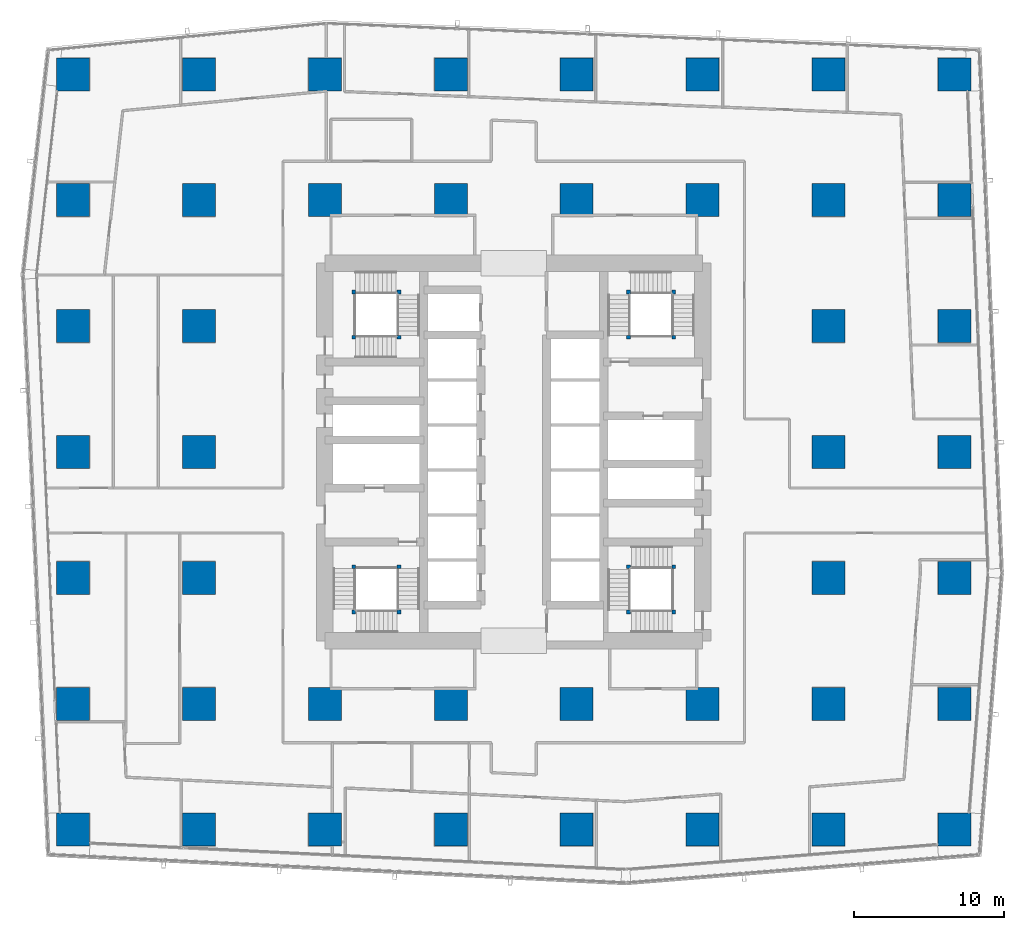
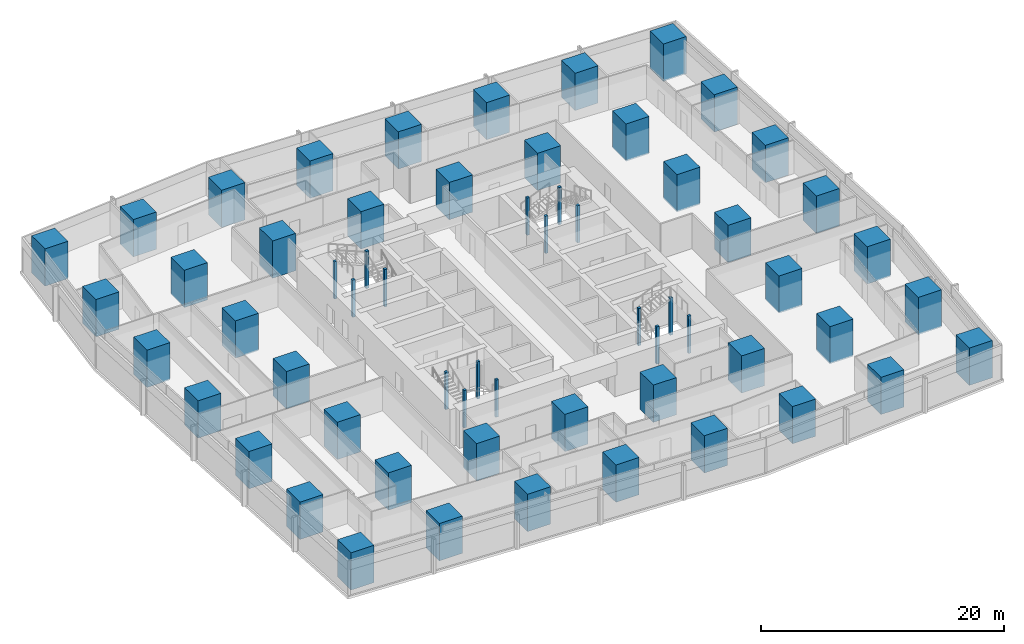
# One storey, part 1 of 45: 60 columns.
"""IFC4 building model written with IfcOpenShell, lengths in metres."""

from ifc_helpers import new_model, si_unit, direction, frame, origin, origin_2d, place, context, subcontext, project, spatial, rectangle, extrude, material, material_profile, profile_set, type_object, element, save


model = new_model("IFC4")

# Units and contexts
model_context = context("Model", 3, precision=1e-05, world=origin(), true_north=direction((0.0, 1.0)))
body_context = subcontext(model_context, "Body", "Model", "MODEL_VIEW")
ifc_project = project(units=[si_unit("LENGTHUNIT", "METRE"), si_unit("AREAUNIT", "SQUARE_METRE"), si_unit("VOLUMEUNIT", "CUBIC_METRE"), si_unit("PLANEANGLEUNIT", "RADIAN"), si_unit("MASSUNIT", "GRAM", prefix="KILO")], contexts=[model_context])

# Site, building, storey
site_placement = place(None, origin())
site = spatial("IfcSite", under=ifc_project, at=site_placement, CompositionType="ELEMENT")
building_placement = place(site_placement, origin())
building = spatial("IfcBuilding", under=site, at=building_placement, Name="Rekha Terrace Tower", CompositionType="ELEMENT")
storey_placement = place(building_placement, frame((0.0, 0.0, 32.89990234375)))
storey = spatial("IfcBuildingStorey", under=building, at=storey_placement, Name="L07", CompositionType="ELEMENT", Elevation=32.89990234375)

# Columns
ifc_material_1 = material(Name="Concrete M70", Category="concrete")
ifc_material_profile_1 = material_profile(ifc_material_1, rectangle(XDim=2.199951171875, YDim=2.199951171875, at=origin_2d()), Name="RC 2200x2200")
ifc_profile_set_1 = profile_set([ifc_material_profile_1], Name="Concrete M70")
column_type_1 = type_object("IfcColumnType", Name="C2 2200x2200 column", PredefinedType="COLUMN", material=ifc_profile_set_1)
for number, where, z_axis, x_axis, name in (
    (1, (8.39990234375, 8.39990234375, 0.0), (0.0, 0.0, 1.0), (1.0, 0.0, 0.0), "Column C2 2/B L07"),
    (2, (8.39990234375, 16.800048828125, 0.0), (0.0, 0.0, 1.0), (1.0, 0.0, 0.0), "Column C2 2/C L07"),
    (3, (8.39990234375, 25.199951171875, 0.0), (0.0, 0.0, 1.0), (1.0, 0.0, 0.0), "Column C2 2/D L07"),
    (4, (8.39990234375, 33.60009765625, 0.0), (0.0, 0.0, 1.0), (1.0, 0.0, 0.0), "Column C2 2/E L07"),
    (5, (8.39990234375, 42.0, 0.0), (0.0, 0.0, 1.0), (1.0, 0.0, 0.0), "Column C2 2/F L07"),
    (6, (8.39990234375, 50.39990234375, 0.0), (0.0, 0.0, 1.0), (1.0, 0.0, 0.0), "Column C2 2/G L07"),
    (7, (8.39990234375, 58.800048828125, 0.0), (0.0, 0.0, 1.0), (1.0, 0.0, 0.0), "Column C2 2/H L07"),
    (8, (16.800048828125, 8.39990234375, 0.0), (0.0, 0.0, 1.0), (1.0, 0.0, 0.0), "Column C2 3/B L07"),
    (9, (16.800048828125, 16.800048828125, 0.0), (0.0, 0.0, 1.0), (1.0, 0.0, 0.0), "Column C2 3/C L07"),
    (10, (16.800048828125, 25.199951171875, 0.0), (0.0, 0.0, 1.0), (1.0, 0.0, 0.0), "Column C2 3/D L07"),
    (11, (16.800048828125, 33.60009765625, 0.0), (0.0, 0.0, 1.0), (1.0, 0.0, 0.0), "Column C2 3/E L07"),
    (12, (16.800048828125, 42.0, 0.0), (0.0, 0.0, 1.0), (1.0, 0.0, 0.0), "Column C2 3/F L07"),
    (13, (16.800048828125, 50.39990234375, 0.0), (0.0, 0.0, 1.0), (1.0, 0.0, 0.0), "Column C2 3/G L07"),
    (14, (16.800048828125, 58.800048828125, 0.0), (0.0, 0.0, 1.0), (1.0, 0.0, 0.0), "Column C2 3/H L07"),
    (15, (25.199951171875, 8.39990234375, 0.0), (0.0, 0.0, 1.0), (1.0, 0.0, 0.0), "Column C2 4/B L07"),
    (16, (25.199951171875, 16.800048828125, 0.0), (0.0, 0.0, 1.0), (1.0, 0.0, 0.0), "Column C2 4/C L07"),
    (17, (25.199951171875, 50.39990234375, 0.0), (0.0, 0.0, 1.0), (1.0, 0.0, 0.0), "Column C2 4/G L07"),
    (18, (25.199951171875, 58.800048828125, 0.0), (0.0, 0.0, 1.0), (1.0, 0.0, 0.0), "Column C2 4/H L07"),
    (19, (33.60009765625, 8.39990234375, 0.0), (0.0, 0.0, 1.0), (1.0, 0.0, 0.0), "Column C2 5/B L07"),
    (20, (33.60009765625, 16.800048828125, 0.0), (0.0, 0.0, 1.0), (1.0, 0.0, 0.0), "Column C2 5/C L07"),
    (21, (33.60009765625, 50.39990234375, 0.0), (0.0, 0.0, 1.0), (1.0, 0.0, 0.0), "Column C2 5/G L07"),
    (22, (33.60009765625, 58.800048828125, 0.0), (0.0, 0.0, 1.0), (1.0, 0.0, 0.0), "Column C2 5/H L07"),
    (23, (42.0, 8.39990234375, 0.0), (0.0, 0.0, 1.0), (1.0, 0.0, 0.0), "Column C2 6/B L07"),
    (24, (42.0, 16.800048828125, 0.0), (0.0, 0.0, 1.0), (1.0, 0.0, 0.0), "Column C2 6/C L07"),
    (25, (42.0, 50.39990234375, 0.0), (0.0, 0.0, 1.0), (1.0, 0.0, 0.0), "Column C2 6/G L07"),
    (26, (42.0, 58.800048828125, 0.0), (0.0, 0.0, 1.0), (1.0, 0.0, 0.0), "Column C2 6/H L07"),
    (27, (50.39990234375, 8.39990234375, 0.0), (0.0, 0.0, 1.0), (1.0, 0.0, 0.0), "Column C2 7/B L07"),
    (28, (50.39990234375, 16.800048828125, 0.0), (0.0, 0.0, 1.0), (1.0, 0.0, 0.0), "Column C2 7/C L07"),
    (29, (50.39990234375, 50.39990234375, 0.0), (0.0, 0.0, 1.0), (1.0, 0.0, 0.0), "Column C2 7/G L07"),
    (30, (50.39990234375, 58.800048828125, 0.0), (0.0, 0.0, 1.0), (1.0, 0.0, 0.0), "Column C2 7/H L07"),
    (31, (58.800048828125, 8.39990234375, 0.0), (0.0, 0.0, 1.0), (1.0, 0.0, 0.0), "Column C2 8/B L07"),
    (32, (58.800048828125, 16.800048828125, 0.0), (0.0, 0.0, 1.0), (1.0, 0.0, 0.0), "Column C2 8/C L07"),
    (33, (58.800048828125, 25.199951171875, 0.0), (0.0, 0.0, 1.0), (1.0, 0.0, 0.0), "Column C2 8/D L07"),
    (34, (58.800048828125, 33.60009765625, 0.0), (0.0, 0.0, 1.0), (1.0, 0.0, 0.0), "Column C2 8/E L07"),
    (35, (58.800048828125, 42.0, 0.0), (0.0, 0.0, 1.0), (1.0, 0.0, 0.0), "Column C2 8/F L07"),
    (36, (58.800048828125, 50.39990234375, 0.0), (0.0, 0.0, 1.0), (1.0, 0.0, 0.0), "Column C2 8/G L07"),
    (37, (58.800048828125, 58.800048828125, 0.0), (0.0, 0.0, 1.0), (1.0, 0.0, 0.0), "Column C2 8/H L07"),
    (38, (67.199951171875, 8.39990234375, 0.0), (0.0, 0.0, 1.0), (1.0, 0.0, 0.0), "Column C2 9/B L07"),
    (39, (67.199951171875, 16.800048828125, 0.0), (0.0, 0.0, 1.0), (1.0, 0.0, 0.0), "Column C2 9/C L07"),
    (40, (67.199951171875, 25.199951171875, 0.0), (0.0, 0.0, 1.0), (1.0, 0.0, 0.0), "Column C2 9/D L07"),
    (41, (67.199951171875, 33.60009765625, 0.0), (0.0, 0.0, 1.0), (1.0, 0.0, 0.0), "Column C2 9/E L07"),
    (42, (67.199951171875, 42.0, 0.0), (0.0, 0.0, 1.0), (1.0, 0.0, 0.0), "Column C2 9/F L07"),
    (43, (67.199951171875, 50.39990234375, 0.0), (0.0, 0.0, 1.0), (1.0, 0.0, 0.0), "Column C2 9/G L07"),
    (44, (67.199951171875, 58.800048828125, 0.0), (0.0, 0.0, 1.0), (1.0, 0.0, 0.0), "Column C2 9/H L07"),
):
    element("IfcColumn", number, at=place(storey_placement, frame(where, z_axis=z_axis, x_axis=x_axis)), inside=storey, type_object=column_type_1, Name=name, PredefinedType="COLUMN", context=body_context, shape_type="SweptSolid", body=[
        extrude(rectangle(XDim=2.199951171875, YDim=2.199951171875, at=origin_2d()), origin(), (0.0, 0.0, 1.0), 3.75),
    ])
ifc_material_2 = material(Name="Concrete M60", Category="concrete")
ifc_material_profile_2 = material_profile(ifc_material_2, rectangle(XDim=0.25, YDim=0.25, at=origin_2d()), Name="RC 250x250")
ifc_profile_set_2 = profile_set([ifc_material_profile_2], Name="Concrete M60")
column_type_2 = type_object("IfcColumnType", Name="NP1 250x250 stair newel post", PredefinedType="COLUMN", material=ifc_profile_set_2)
for number, where, z_axis, x_axis, name in (
    (45, (30.14990234375, 25.949951171875, 0.0), (0.0, 0.0, 1.0), (1.0, 0.0, 0.0), "Stair newel post NP1"),
    (46, (30.14990234375, 22.925048828125, 0.0), (0.0, 0.0, 1.0), (1.0, 0.0, 0.0), "Stair newel post NP1"),
    (47, (27.125, 22.925048828125, 0.0), (0.0, 0.0, 1.0), (1.0, 0.0, 0.0), "Stair newel post NP1"),
    (48, (27.125, 25.949951171875, 0.0), (0.0, 0.0, 1.0), (1.0, 0.0, 0.0), "Stair newel post NP1"),
    (49, (45.449951171875, 41.25, 0.0), (0.0, 0.0, 1.0), (1.0, 0.0, 0.0), "Stair newel post NP1"),
    (50, (45.449951171875, 44.27490234375, 0.0), (0.0, 0.0, 1.0), (1.0, 0.0, 0.0), "Stair newel post NP1"),
    (51, (48.47509765625, 44.27490234375, 0.0), (0.0, 0.0, 1.0), (1.0, 0.0, 0.0), "Stair newel post NP1"),
    (52, (48.47509765625, 41.25, 0.0), (0.0, 0.0, 1.0), (1.0, 0.0, 0.0), "Stair newel post NP1"),
    (53, (48.47509765625, 22.925048828125, 0.0), (0.0, 0.0, 1.0), (1.0, 0.0, 0.0), "Stair newel post NP1"),
    (54, (45.449951171875, 22.925048828125, 0.0), (0.0, 0.0, 1.0), (1.0, 0.0, 0.0), "Stair newel post NP1"),
    (55, (45.449951171875, 25.949951171875, 0.0), (0.0, 0.0, 1.0), (1.0, 0.0, 0.0), "Stair newel post NP1"),
    (56, (48.47509765625, 25.949951171875, 0.0), (0.0, 0.0, 1.0), (1.0, 0.0, 0.0), "Stair newel post NP1"),
    (57, (27.125, 41.25, 0.0), (0.0, 0.0, 1.0), (1.0, 0.0, 0.0), "Stair newel post NP1"),
    (58, (30.14990234375, 41.25, 0.0), (0.0, 0.0, 1.0), (1.0, 0.0, 0.0), "Stair newel post NP1"),
    (59, (30.14990234375, 44.27490234375, 0.0), (0.0, 0.0, 1.0), (1.0, 0.0, 0.0), "Stair newel post NP1"),
    (60, (27.125, 44.27490234375, 0.0), (0.0, 0.0, 1.0), (1.0, 0.0, 0.0), "Stair newel post NP1"),
):
    element("IfcColumn", number, at=place(storey_placement, frame(where, z_axis=z_axis, x_axis=x_axis)), inside=storey, type_object=column_type_2, Name=name, PredefinedType="COLUMN", context=body_context, shape_type="SweptSolid", body=[
        extrude(rectangle(XDim=0.25, YDim=0.25, at=origin_2d()), origin(), (0.0, 0.0, 1.0), 3.75),
    ])

save(model, "model.ifc")
